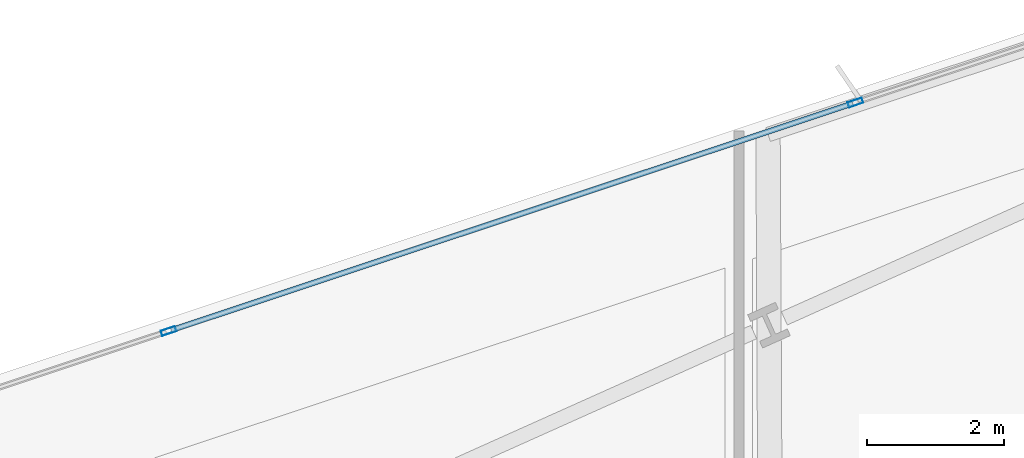
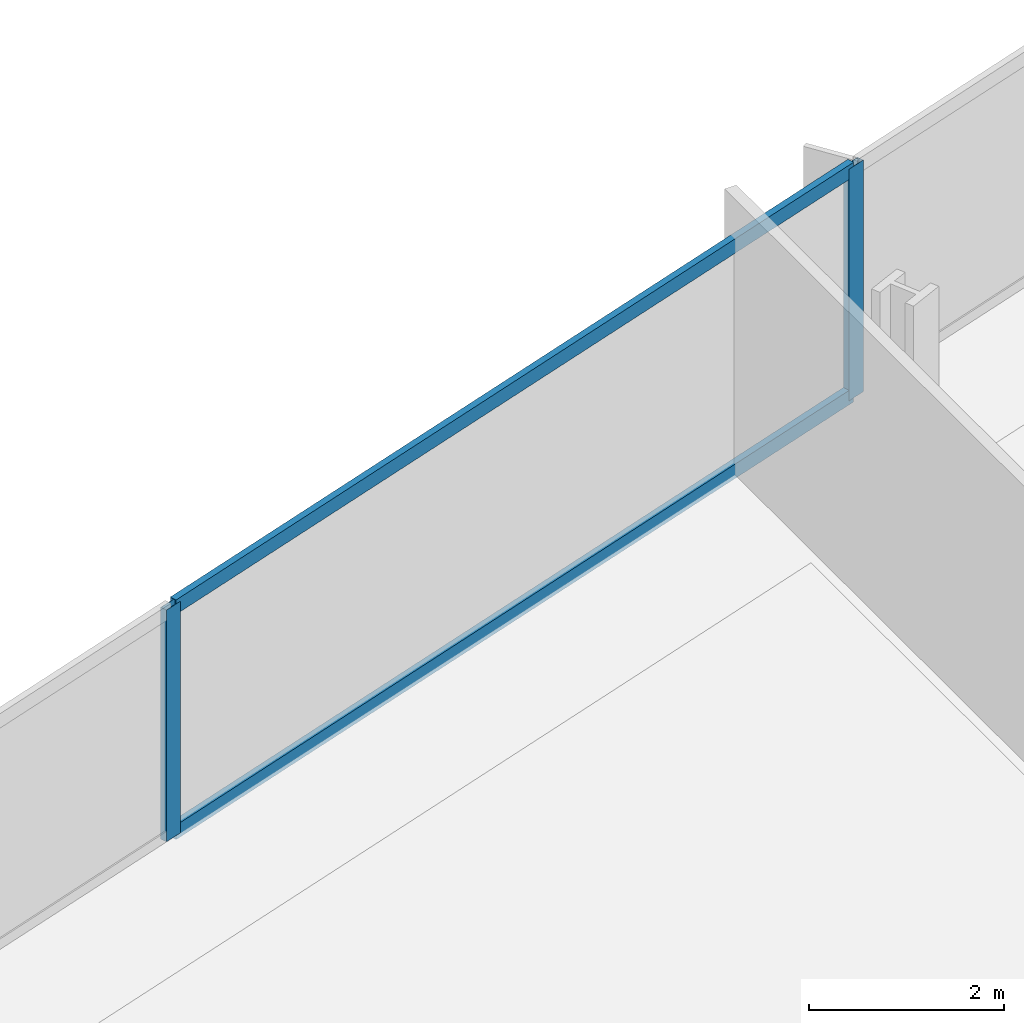
# One storey, part 18 of 34: 4 members, 1 element without a shape of its own.
"""IFC4 building model written with IfcOpenShell, lengths in metres."""

from ifc_helpers import new_model, si_unit, direction, frame, origin, origin_2d, place, context, subcontext, project, spatial, hollow_rectangle, extrude, material, material_profile, profile_set, type_object, element, aggregate, save


model = new_model("IFC4")

# Units and contexts
model_context = context("Model", 3, precision=1e-05, world=origin(), true_north=direction((0.0, 1.0)))
body_context = subcontext(model_context, "Body", "Model", "MODEL_VIEW")
ifc_project = project(units=[si_unit("LENGTHUNIT", "METRE"), si_unit("AREAUNIT", "SQUARE_METRE"), si_unit("VOLUMEUNIT", "CUBIC_METRE"), si_unit("PLANEANGLEUNIT", "RADIAN"), si_unit("MASSUNIT", "GRAM", prefix="KILO")], contexts=[model_context])

# Site, building, storey
site_placement = place(None, origin())
site = spatial("IfcSite", under=ifc_project, at=site_placement, CompositionType="ELEMENT")
building_placement = place(site_placement, origin())
building = spatial("IfcBuilding", under=site, at=building_placement, Name="Haldenkirk Collegiate Tower", CompositionType="ELEMENT")
storey_placement = place(building_placement, frame((0.0, 0.0, 90.449951171875)))
storey = spatial("IfcBuildingStorey", under=building, at=storey_placement, Name="L21", CompositionType="ELEMENT", Elevation=90.449951171875)

# Curtain wall, members
ifc_material = material(Name="Anodised architectural bronze aluminium", Category="aluminium")
curtain_wall_type = type_object("IfcCurtainWallType", Name="CW-SYS1-CONVEX-LOW", PredefinedType="USERDEFINED", material=ifc_material)
curtain_wall_placement = place(storey_placement, origin())
curtain_wall = element("IfcCurtainWall", 1, at=curtain_wall_placement, inside=storey, type_object=curtain_wall_type, Name="L21 Lower tower convex bronze-framed unitised curtain wall", ObjectType="UNITISED CURTAIN WALL", PredefinedType="USERDEFINED")
ifc_material_profile_1 = material_profile(ifc_material, hollow_rectangle(XDim=0.080078125, YDim=0.219970703125, WallThickness=0.0048828125, at=origin_2d()), Name="CW-MUL-1A")
ifc_profile_set_1 = profile_set([ifc_material_profile_1], Name="Anodised architectural bronze aluminium")
member_type_1 = type_object("IfcMemberType", Name="CW-MUL-1A", PredefinedType="MULLION", material=ifc_profile_set_1)
member_1_placement = place(storey_placement, frame((18.1865234375, 46.126220703125, 0.0), z_axis=(0.0, 0.0, 1.0), x_axis=(-0.315649744417, 0.9488757763, 0.0)))
member_1 = element("IfcMember", 2, at=member_1_placement, type_object=member_type_1, Name="CW-1A mullion 2", PredefinedType="MULLION", context=body_context, shape_type="SweptSolid", body=[
    extrude(hollow_rectangle(XDim=0.080078125, YDim=0.219970703125, WallThickness=0.0048828125, at=origin_2d()), origin(), (0.0, 0.0, 1.0), 2.901123046875),
])
member_2_placement = place(storey_placement, frame((28.197265625, 49.456298828125, 0.0), z_axis=(0.0, 0.0, 1.0), x_axis=(-0.315649744417, 0.9488757763, 0.0)))
member_2 = element("IfcMember", 3, at=member_2_placement, type_object=member_type_1, Name="CW-1A mullion 3", PredefinedType="MULLION", context=body_context, shape_type="SweptSolid", body=[
    extrude(hollow_rectangle(XDim=0.080078125, YDim=0.219970703125, WallThickness=0.0048828125, at=origin_2d()), origin(), (0.0, 0.0, 1.0), 2.901123046875),
])
ifc_material_profile_2 = material_profile(ifc_material, hollow_rectangle(XDim=0.080078125, YDim=0.179931640625, WallThickness=0.0048828125, at=origin_2d()), Name="CW-TRN-1A")
ifc_profile_set_2 = profile_set([ifc_material_profile_2], Name="Anodised architectural bronze aluminium")
member_type_2 = type_object("IfcMemberType", Name="CW-TRN-1A", PredefinedType="USERDEFINED", material=ifc_profile_set_2)
member_3_placement = place(storey_placement, frame((18.224365234375, 46.138671875, 0.0400390625), z_axis=(0.948874331215, 0.315654088459, 0.0), x_axis=(-0.315654088459, 0.948874331215, 0.0)))
member_3 = element("IfcMember", 4, at=member_3_placement, type_object=member_type_2, Name="CW-1A transom 2.1", ObjectType="TRANSOM", PredefinedType="USERDEFINED", context=body_context, shape_type="SweptSolid", body=[
    extrude(hollow_rectangle(XDim=0.080078125, YDim=0.179931640625, WallThickness=0.0048828125, at=origin_2d()), origin(), (0.0, 0.0, 1.0), 10.47021484375),
])
member_4_placement = place(storey_placement, frame((18.224365234375, 46.138671875, 2.861083984375), z_axis=(0.948874331215, 0.315654088459, 0.0), x_axis=(-0.315654088459, 0.948874331215, 0.0)))
member_4 = element("IfcMember", 5, at=member_4_placement, type_object=member_type_2, Name="CW-1A transom 2.2", ObjectType="TRANSOM", PredefinedType="USERDEFINED", context=body_context, shape_type="SweptSolid", body=[
    extrude(hollow_rectangle(XDim=0.080078125, YDim=0.179931640625, WallThickness=0.0048828125, at=origin_2d()), origin(), (0.0, 0.0, 1.0), 10.47021484375),
])
aggregate(curtain_wall, [member_1, member_2, member_3, member_4])

save(model, "model.ifc")
